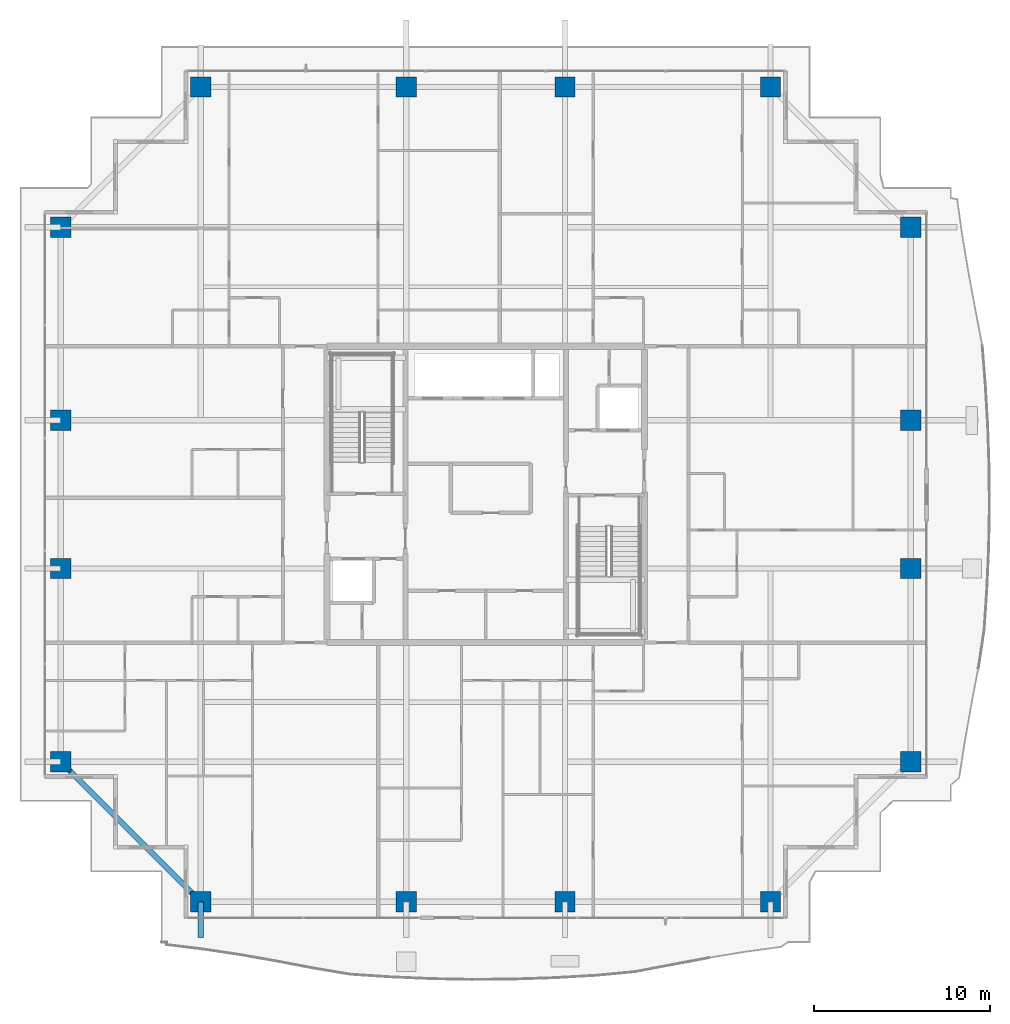
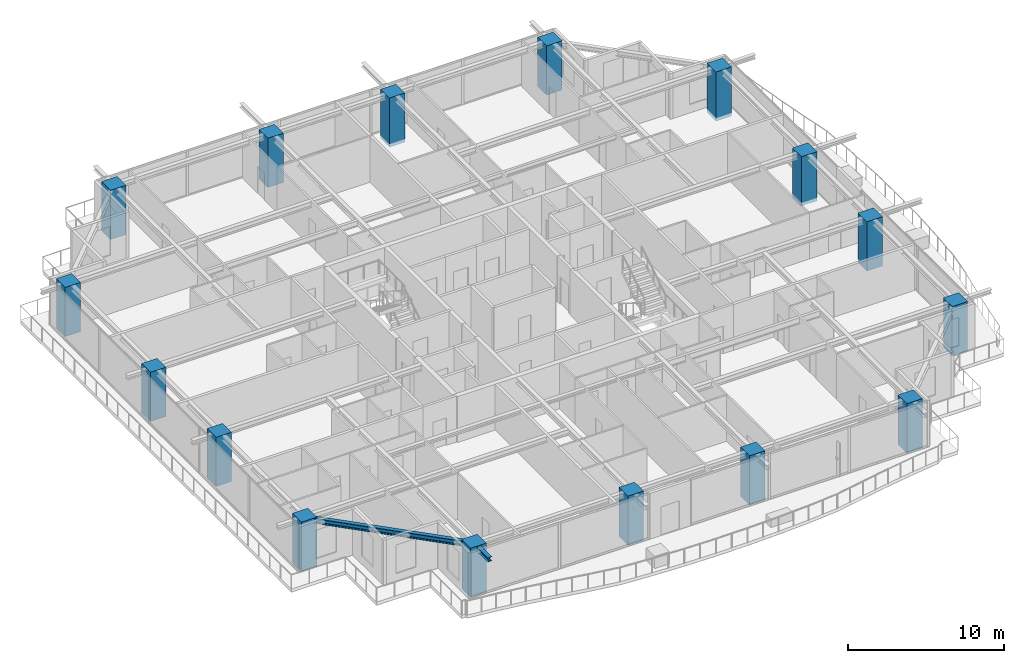
# One storey, part 1 of 37: 16 columns, 2 beams.
"""IFC4 building model written with IfcOpenShell, lengths in metres."""

from ifc_helpers import new_model, si_unit, direction, frame, origin, origin_2d, place, context, subcontext, project, spatial, rectangle, i_section, extrude, source, transform, mapped, material, material_profile, profile_set, type_object, element, save


model = new_model("IFC4")

# Units and contexts
model_context = context("Model", 3, precision=1e-05, world=origin(), true_north=direction((0.0, 1.0)))
body_context = subcontext(model_context, "Body", "Model", "MODEL_VIEW")
ifc_project = project(units=[si_unit("LENGTHUNIT", "METRE"), si_unit("AREAUNIT", "SQUARE_METRE"), si_unit("VOLUMEUNIT", "CUBIC_METRE"), si_unit("PLANEANGLEUNIT", "RADIAN"), si_unit("MASSUNIT", "GRAM", prefix="KILO")], contexts=[model_context])

# Site, building, storey
site_placement = place(None, origin())
site = spatial("IfcSite", under=ifc_project, at=site_placement, CompositionType="ELEMENT")
building_placement = place(site_placement, origin())
building = spatial("IfcBuilding", under=site, at=building_placement, Name="Serunith Strait Residences", CompositionType="ELEMENT")
storey_placement = place(building_placement, frame((0.0, 0.0, 275.89990234375)))
storey = spatial("IfcBuildingStorey", under=building, at=storey_placement, Name="L69", CompositionType="ELEMENT", Elevation=275.89990234375)

# Columns
ifc_material_1 = material(Name="Concrete C80/95", Category="concrete")
ifc_material_profile_1 = material_profile(ifc_material_1, rectangle(XDim=1.14990234375, YDim=1.14990234375, at=origin_2d()), Name="RC 1150x1150")
ifc_profile_set_1 = profile_set([ifc_material_profile_1], Name="Concrete C80/95")
column_type = type_object("IfcColumnType", Name="COL-RC-1150", PredefinedType="COLUMN", material=ifc_profile_set_1)
shared_shape_1 = source(origin(), body_context, "Body", "SweptSolid", [
    extrude(rectangle(XDim=1.14990234375, YDim=1.14990234375, at=origin_2d()), origin(), (0.0, 0.0, 1.0), 3.85009765625),
])
for number, where, z_axis, x_axis, name in (
    (1, (16.25, 2.10009765625, -0.260009765625), (0.0, 0.0, 1.0), (1.0, 0.0, 0.0), "L69 Tower Mega-Column TC-S1"),
    (2, (27.89990234375, 2.10009765625, -0.260009765625), (0.0, 0.0, 1.0), (1.0, 0.0, 0.0), "L69 Tower Mega-Column TC-S2"),
    (3, (36.89990234375, 2.10009765625, -0.260009765625), (0.0, 0.0, 1.0), (1.0, 0.0, 0.0), "L69 Tower Mega-Column TC-S3"),
    (4, (48.550048828125, 2.10009765625, -0.260009765625), (0.0, 0.0, 1.0), (1.0, 0.0, 0.0), "L69 Tower Mega-Column TC-S4"),
    (5, (16.25, 48.300048828125, -0.260009765625), (0.0, 0.0, 1.0), (1.0, 0.0, 0.0), "L69 Tower Mega-Column TC-N1"),
    (6, (27.89990234375, 48.300048828125, -0.260009765625), (0.0, 0.0, 1.0), (1.0, 0.0, 0.0), "L69 Tower Mega-Column TC-N2"),
    (7, (36.89990234375, 48.300048828125, -0.260009765625), (0.0, 0.0, 1.0), (1.0, 0.0, 0.0), "L69 Tower Mega-Column TC-N3"),
    (8, (48.550048828125, 48.300048828125, -0.260009765625), (0.0, 0.0, 1.0), (1.0, 0.0, 0.0), "L69 Tower Mega-Column TC-N4"),
    (9, (56.5, 10.050048828125, -0.260009765625), (0.0, 0.0, 1.0), (1.0, 0.0, 0.0), "L69 Tower Mega-Column TC-E1"),
    (10, (56.5, 21.0, -0.260009765625), (0.0, 0.0, 1.0), (1.0, 0.0, 0.0), "L69 Tower Mega-Column TC-E2"),
    (11, (56.5, 29.39990234375, -0.260009765625), (0.0, 0.0, 1.0), (1.0, 0.0, 0.0), "L69 Tower Mega-Column TC-E3"),
    (12, (56.5, 40.35009765625, -0.260009765625), (0.0, 0.0, 1.0), (1.0, 0.0, 0.0), "L69 Tower Mega-Column TC-E4"),
    (13, (8.300048828125, 10.050048828125, -0.260009765625), (0.0, 0.0, 1.0), (1.0, 0.0, 0.0), "L69 Tower Mega-Column TC-W1"),
    (14, (8.300048828125, 21.0, -0.260009765625), (0.0, 0.0, 1.0), (1.0, 0.0, 0.0), "L69 Tower Mega-Column TC-W2"),
    (15, (8.300048828125, 29.39990234375, -0.260009765625), (0.0, 0.0, 1.0), (1.0, 0.0, 0.0), "L69 Tower Mega-Column TC-W3"),
    (16, (8.300048828125, 40.35009765625, -0.260009765625), (0.0, 0.0, 1.0), (1.0, 0.0, 0.0), "L69 Tower Mega-Column TC-W4"),
):
    element("IfcColumn", number, at=place(storey_placement, frame(where, z_axis=z_axis, x_axis=x_axis)), inside=storey, type_object=column_type, Name=name, PredefinedType="COLUMN", context=body_context, shape_type="MappedRepresentation", body=[
        mapped(shared_shape_1, transform((0.0, 0.0, 0.0), scale=1.0)),
    ])

# Beams
ifc_material_2 = material(Name="Steel S355J2", Category="steel")
ifc_material_profile_2 = material_profile(ifc_material_2, i_section(OverallWidth=0.300048828125, OverallDepth=0.39990234375, WebThickness=0.013427734375, FlangeThickness=0.02392578125, FilletRadius=0.027099609375, at=origin_2d()), Name="HEB 400")
ifc_profile_set_2 = profile_set([ifc_material_profile_2], Name="Steel S355J2")
beam_type_1 = type_object("IfcBeamType", Name="BM-HEB400", PredefinedType="BEAM", material=ifc_profile_set_2)
shared_shape_2 = source(origin(), body_context, "Body", "SweptSolid", [
    extrude(i_section(OverallWidth=0.300048828125, OverallDepth=0.39990234375, WebThickness=0.013427734375, FlangeThickness=0.02392578125, FilletRadius=0.027099609375, at=origin_2d()), origin(), (0.0, 0.0, 1.0), 11.242919921875),
])
beam_1_placement = place(storey_placement, frame((8.300048828125, 10.050048828125, 3.357177734375), z_axis=(0.707106781187, -0.707106781187, 0.0), x_axis=(0.707106781187, 0.707106781187, 0.0)))
element("IfcBeam", 17, at=beam_1_placement, inside=storey, type_object=beam_type_1, Name="L69 Perimeter Ring Beam 16", PredefinedType="BEAM", context=body_context, shape_type="MappedRepresentation", body=[
    mapped(shared_shape_2, transform((0.0, 0.0, 0.0), scale=1.0)),
])
ifc_material_profile_3 = material_profile(ifc_material_2, i_section(OverallWidth=0.300048828125, OverallDepth=0.320068359375, WebThickness=0.011474609375, FlangeThickness=0.0205078125, FilletRadius=0.027099609375, at=origin_2d()), Name="HEB 320")
ifc_profile_set_3 = profile_set([ifc_material_profile_3], Name="Steel S355J2")
beam_type_2 = type_object("IfcBeamType", Name="BM-HEB320", PredefinedType="BEAM", material=ifc_profile_set_3)
shared_shape_3 = source(origin(), body_context, "Body", "SweptSolid", [
    extrude(i_section(OverallWidth=0.300048828125, OverallDepth=0.320068359375, WebThickness=0.011474609375, FlangeThickness=0.0205078125, FilletRadius=0.027099609375, at=origin_2d()), origin(), (0.0, 0.0, 1.0), 2.030029296875),
])
beam_2_placement = place(storey_placement, frame((16.25, 2.10009765625, 3.397216796875), z_axis=(0.0, -1.0, 0.0), x_axis=(1.0, 0.0, 0.0)))
element("IfcBeam", 18, at=beam_2_placement, inside=storey, type_object=beam_type_2, Name="L70 Cantilevered Balcony Rib TC-S1", PredefinedType="BEAM", context=body_context, shape_type="MappedRepresentation", body=[
    mapped(shared_shape_3, transform((0.0, 0.0, 0.0), scale=1.0)),
])

save(model, "model.ifc")
